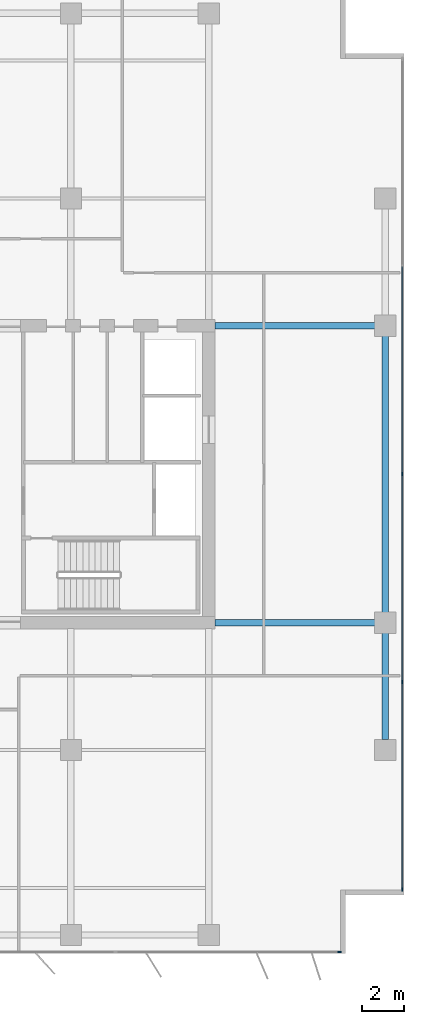
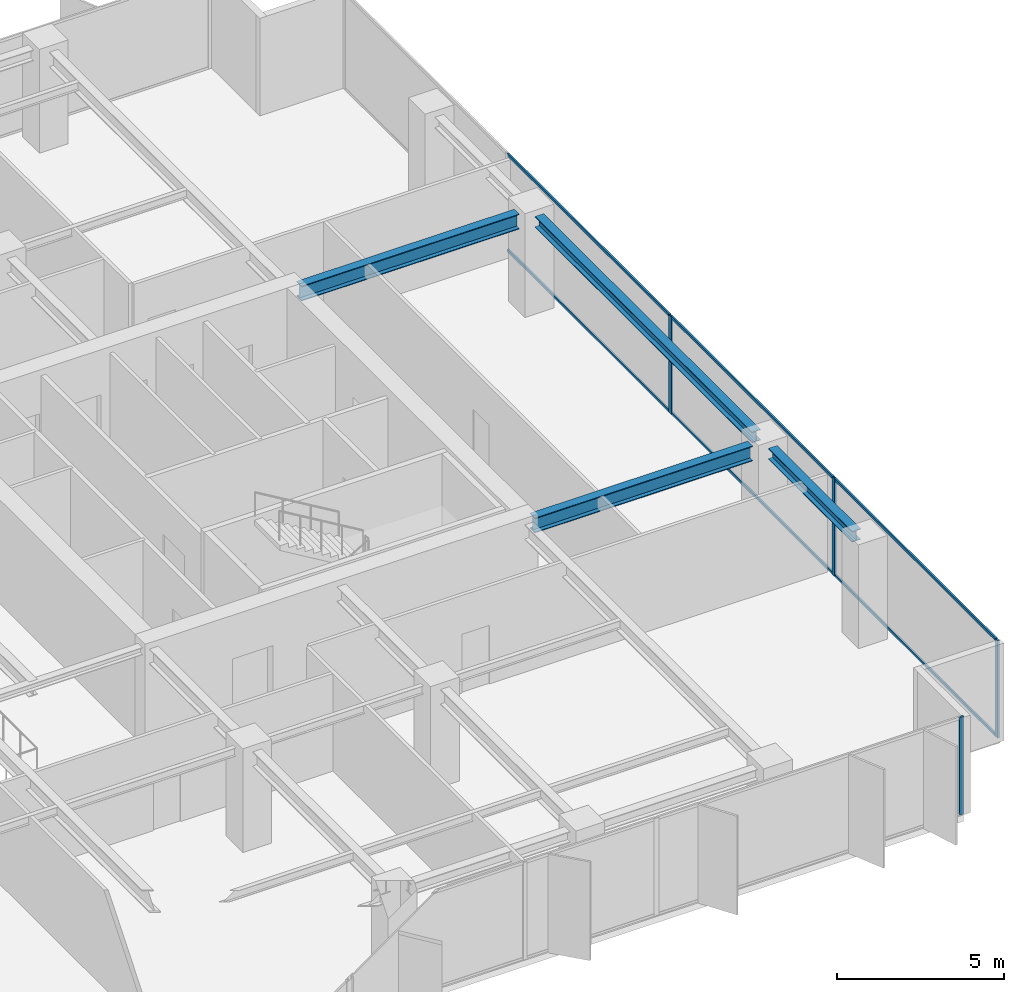
# One storey, part 12 of 22: 10 members, 4 beams, 2 elements without a shape of their own.
"""IFC4 building model written with IfcOpenShell, lengths in metres."""

from ifc_helpers import new_model, si_unit, direction, frame, origin, origin_2d, place, context, subcontext, project, spatial, rectangle, i_section, extrude, material, layer, layer_set, material_profile, profile_set, type_object, element, aggregate, save


model = new_model("IFC4")

# Units and contexts
model_context = context("Model", 3, precision=1e-05, world=origin(), true_north=direction((0.0, 1.0)))
body_context = subcontext(model_context, "Body", "Model", "MODEL_VIEW")
ifc_project = project(units=[si_unit("LENGTHUNIT", "METRE"), si_unit("AREAUNIT", "SQUARE_METRE"), si_unit("VOLUMEUNIT", "CUBIC_METRE"), si_unit("PLANEANGLEUNIT", "RADIAN"), si_unit("MASSUNIT", "GRAM", prefix="KILO")], contexts=[model_context])

# Site, building, storey
site_placement = place(None, origin())
site = spatial("IfcSite", under=ifc_project, at=site_placement, CompositionType="ELEMENT")
building_placement = place(site_placement, origin())
building = spatial("IfcBuilding", under=site, at=building_placement, Name="Putna Gate Headquarters", CompositionType="ELEMENT")
storey_placement = place(building_placement, frame((0.0, 0.0, 148.0)))
storey = spatial("IfcBuildingStorey", under=building, at=storey_placement, Name="L36", CompositionType="ELEMENT", Elevation=148.0)

# Beams
ifc_material_1 = material(Name="Steel S355J2", Category="steel")
ifc_material_profile_1 = material_profile(ifc_material_1, i_section(OverallWidth=0.300048828125, OverallDepth=0.550048828125, WebThickness=0.014892578125, FlangeThickness=0.029052734375, at=origin_2d()), Name="Steel S355J2")
ifc_profile_set_1 = profile_set([ifc_material_profile_1], Name="Steel S355J2")
beam_type_1 = type_object("IfcBeamType", Name="BM-GIRD-Z3-HEB550", PredefinedType="USERDEFINED", material=ifc_profile_set_1)
for number, where, z_axis, x_axis, name in (
    (1, (65.284912109375, 19.0, 3.297119140625), (1.0, 0.0, 0.0), (0.0, 1.0, 0.0), "L36 East Wing Girder Y19"),
    (2, (65.284912109375, 33.0, 3.297119140625), (1.0, 0.0, 0.0), (0.0, 1.0, 0.0), "L36 East Wing Girder Y33"),
):
    element("IfcBeam", number, at=place(storey_placement, frame(where, z_axis=z_axis, x_axis=x_axis)), inside=storey, type_object=beam_type_1, Name=name, ObjectType="GIRDER", PredefinedType="USERDEFINED", context=body_context, shape_type="SweptSolid", body=[
        extrude(i_section(OverallWidth=0.300048828125, OverallDepth=0.550048828125, WebThickness=0.014892578125, FlangeThickness=0.029052734375, at=origin_2d()), origin(), (0.0, 0.0, 1.0), 7.547119140625),
    ])
ifc_material_profile_2 = material_profile(ifc_material_1, i_section(OverallWidth=0.300048828125, OverallDepth=0.39990234375, WebThickness=0.013427734375, FlangeThickness=0.02392578125, at=origin_2d()), Name="Steel S355J2")
ifc_profile_set_2 = profile_set([ifc_material_profile_2], Name="Steel S355J2")
beam_type_2 = type_object("IfcBeamType", Name="BM-SPAN-Z3-HEB400", PredefinedType="SPANDREL", material=ifc_profile_set_2)
beam_1_placement = place(storey_placement, frame((73.320068359375, 13.488037109375, 3.3720703125), z_axis=(0.0, 1.0, 0.0), x_axis=(-1.0, 0.0, 0.0)))
element("IfcBeam", 3, at=beam_1_placement, inside=storey, type_object=beam_type_2, Name="L36 E End Spandrel 1", PredefinedType="SPANDREL", context=body_context, shape_type="SweptSolid", body=[
    extrude(i_section(OverallWidth=0.300048828125, OverallDepth=0.39990234375, WebThickness=0.013427734375, FlangeThickness=0.02392578125, at=origin_2d()), origin(), (0.0, 0.0, 1.0), 5.02392578125),
])
beam_2_placement = place(storey_placement, frame((73.320068359375, 19.488037109375, 3.3720703125), z_axis=(0.0, 1.0, 0.0), x_axis=(-1.0, 0.0, 0.0)))
element("IfcBeam", 4, at=beam_2_placement, inside=storey, type_object=beam_type_2, Name="L36 E End Spandrel 2", PredefinedType="SPANDREL", context=body_context, shape_type="SweptSolid", body=[
    extrude(i_section(OverallWidth=0.300048828125, OverallDepth=0.39990234375, WebThickness=0.013427734375, FlangeThickness=0.02392578125, at=origin_2d()), origin(), (0.0, 0.0, 1.0), 13.02392578125),
])

# Curtain wall, member
ifc_material_2 = material(Name="Anodised bronze aluminium curtain wall", Category="aluminium")
ifc_layer = layer(ifc_material_2, 0.159912109375)
ifc_layer_set = layer_set([ifc_layer], Name="Anodised bronze aluminium curtain wall")
curtain_wall_type = type_object("IfcCurtainWallType", Name="CW-SYS-Z3", PredefinedType="USERDEFINED", material=ifc_layer_set)
curtain_wall_1_placement = place(storey_placement, origin())
curtain_wall_1 = element("IfcCurtainWall", 5, at=curtain_wall_1_placement, inside=storey, type_object=curtain_wall_type, Name="L36 South East Curtain Wall", ObjectType="STICK CURTAIN WALL", PredefinedType="USERDEFINED")
ifc_material_3 = material(Name="Anodised bronze aluminium EN AW-6060", Category="aluminium")
ifc_material_profile_3 = material_profile(ifc_material_3, rectangle(XDim=0.06494140625, YDim=0.159912109375, at=origin_2d()), Name="Anodised bronze aluminium EN AW-6060")
ifc_profile_set_3 = profile_set([ifc_material_profile_3], Name="Anodised bronze aluminium EN AW-6060")
member_type_1 = type_object("IfcMemberType", Name="MULL-CWM-3", PredefinedType="MULLION", material=ifc_profile_set_3)
member_1_placement = place(storey_placement, frame((71.16748046875, 3.47998046875, 0.0), z_axis=(0.0, 0.0, 1.0), x_axis=(0.0, 1.0, 0.0)))
member_1 = element("IfcMember", 6, at=member_1_placement, type_object=member_type_1, Name="CWS-3 mullion 3", PredefinedType="MULLION", context=body_context, shape_type="SweptSolid", body=[
    extrude(rectangle(XDim=0.06494140625, YDim=0.159912109375, at=origin_2d()), origin(), (0.0, 0.0, 1.0), 3.572021484375),
])
aggregate(curtain_wall_1, [member_1])

# Curtain wall, members
curtain_wall_2_placement = place(storey_placement, origin())
curtain_wall_2 = element("IfcCurtainWall", 7, at=curtain_wall_2_placement, inside=storey, type_object=curtain_wall_type, Name="L36 East Curtain Wall", ObjectType="STICK CURTAIN WALL", PredefinedType="USERDEFINED")
member_2_placement = place(storey_placement, frame((74.1201171875, 6.4326171875, 0.0), z_axis=(0.0, 0.0, 1.0), x_axis=(-1.0, 0.0, 0.0)))
member_2 = element("IfcMember", 8, at=member_2_placement, type_object=member_type_1, Name="CWS-3 mullion 1", PredefinedType="MULLION", context=body_context, shape_type="SweptSolid", body=[
    extrude(rectangle(XDim=0.06494140625, YDim=0.159912109375, at=origin_2d()), origin(), (0.0, 0.0, 1.0), 3.572021484375),
])
member_3_placement = place(storey_placement, frame((74.1201171875, 16.199951171875, 0.0), z_axis=(0.0, 0.0, 1.0), x_axis=(-1.0, 0.0, 0.0)))
member_3 = element("IfcMember", 9, at=member_3_placement, type_object=member_type_1, Name="CWS-3 mullion 2", PredefinedType="MULLION", context=body_context, shape_type="SweptSolid", body=[
    extrude(rectangle(XDim=0.06494140625, YDim=0.159912109375, at=origin_2d()), origin(), (0.0, 0.0, 1.0), 3.572021484375),
])
member_4_placement = place(storey_placement, frame((74.1201171875, 26.0, 0.0), z_axis=(0.0, 0.0, 1.0), x_axis=(-1.0, 0.0, 0.0)))
member_4 = element("IfcMember", 10, at=member_4_placement, type_object=member_type_1, Name="CWS-3 mullion 3", PredefinedType="MULLION", context=body_context, shape_type="SweptSolid", body=[
    extrude(rectangle(XDim=0.06494140625, YDim=0.159912109375, at=origin_2d()), origin(), (0.0, 0.0, 1.0), 3.572021484375),
])
ifc_material_profile_4 = material_profile(ifc_material_3, rectangle(XDim=0.06005859375, YDim=0.10009765625, at=origin_2d()), Name="Anodised bronze aluminium EN AW-6060")
ifc_profile_set_4 = profile_set([ifc_material_profile_4], Name="Anodised bronze aluminium EN AW-6060")
member_type_2 = type_object("IfcMemberType", Name="TRAN-CWT-3", PredefinedType="USERDEFINED", material=ifc_profile_set_4)
member_5_placement = place(storey_placement, frame((74.1201171875, 6.465087890625, 0.030029296875), z_axis=(0.0, 1.0, 0.0), x_axis=(-1.0, 0.0, 0.0)))
member_5 = element("IfcMember", 11, at=member_5_placement, type_object=member_type_2, Name="CWS-3 transom 1.1", ObjectType="TRANSOM", PredefinedType="USERDEFINED", context=body_context, shape_type="SweptSolid", body=[
    extrude(rectangle(XDim=0.06005859375, YDim=0.10009765625, at=origin_2d()), origin(), (0.0, 0.0, 1.0), 9.702392578125),
])
member_6_placement = place(storey_placement, frame((74.1201171875, 6.465087890625, 3.5419921875), z_axis=(0.0, 1.0, 0.0), x_axis=(-1.0, 0.0, 0.0)))
member_6 = element("IfcMember", 12, at=member_6_placement, type_object=member_type_2, Name="CWS-3 transom 1.2", ObjectType="TRANSOM", PredefinedType="USERDEFINED", context=body_context, shape_type="SweptSolid", body=[
    extrude(rectangle(XDim=0.06005859375, YDim=0.10009765625, at=origin_2d()), origin(), (0.0, 0.0, 1.0), 9.702392578125),
])
member_7_placement = place(storey_placement, frame((74.1201171875, 16.232421875, 0.030029296875), z_axis=(0.0, 1.0, 0.0), x_axis=(-1.0, 0.0, 0.0)))
member_7 = element("IfcMember", 13, at=member_7_placement, type_object=member_type_2, Name="CWS-3 transom 2.1", ObjectType="TRANSOM", PredefinedType="USERDEFINED", context=body_context, shape_type="SweptSolid", body=[
    extrude(rectangle(XDim=0.06005859375, YDim=0.10009765625, at=origin_2d()), origin(), (0.0, 0.0, 1.0), 9.735107421875),
])
member_8_placement = place(storey_placement, frame((74.1201171875, 16.232421875, 3.5419921875), z_axis=(0.0, 1.0, 0.0), x_axis=(-1.0, 0.0, 0.0)))
member_8 = element("IfcMember", 14, at=member_8_placement, type_object=member_type_2, Name="CWS-3 transom 2.2", ObjectType="TRANSOM", PredefinedType="USERDEFINED", context=body_context, shape_type="SweptSolid", body=[
    extrude(rectangle(XDim=0.06005859375, YDim=0.10009765625, at=origin_2d()), origin(), (0.0, 0.0, 1.0), 9.735107421875),
])
member_9_placement = place(storey_placement, frame((74.1201171875, 26.032470703125, 0.030029296875), z_axis=(0.0, 1.0, 0.0), x_axis=(-1.0, 0.0, 0.0)))
member_9 = element("IfcMember", 15, at=member_9_placement, type_object=member_type_2, Name="CWS-3 transom 3.1", ObjectType="TRANSOM", PredefinedType="USERDEFINED", context=body_context, shape_type="SweptSolid", body=[
    extrude(rectangle(XDim=0.06005859375, YDim=0.10009765625, at=origin_2d()), origin(), (0.0, 0.0, 1.0), 9.735107421875),
])
member_10_placement = place(storey_placement, frame((74.1201171875, 26.032470703125, 3.5419921875), z_axis=(0.0, 1.0, 0.0), x_axis=(-1.0, 0.0, 0.0)))
member_10 = element("IfcMember", 16, at=member_10_placement, type_object=member_type_2, Name="CWS-3 transom 3.2", ObjectType="TRANSOM", PredefinedType="USERDEFINED", context=body_context, shape_type="SweptSolid", body=[
    extrude(rectangle(XDim=0.06005859375, YDim=0.10009765625, at=origin_2d()), origin(), (0.0, 0.0, 1.0), 9.735107421875),
])
aggregate(curtain_wall_2, [member_2, member_3, member_4, member_5, member_6, member_7, member_8, member_9, member_10])

save(model, "model.ifc")
